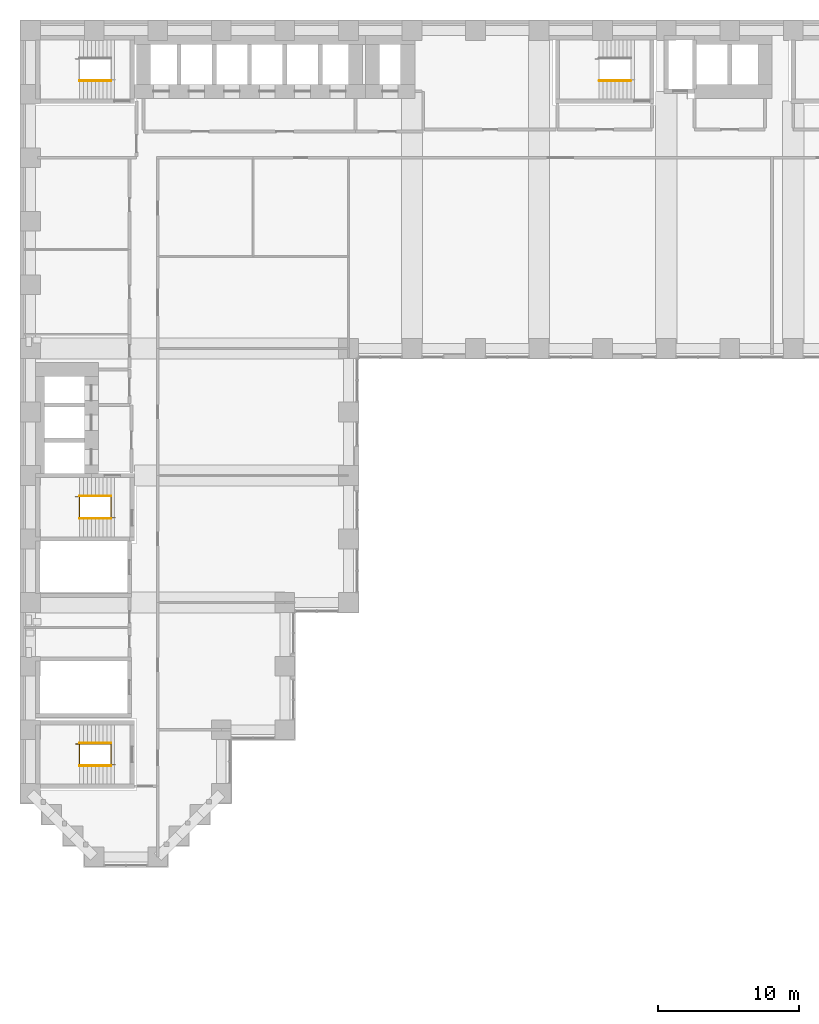
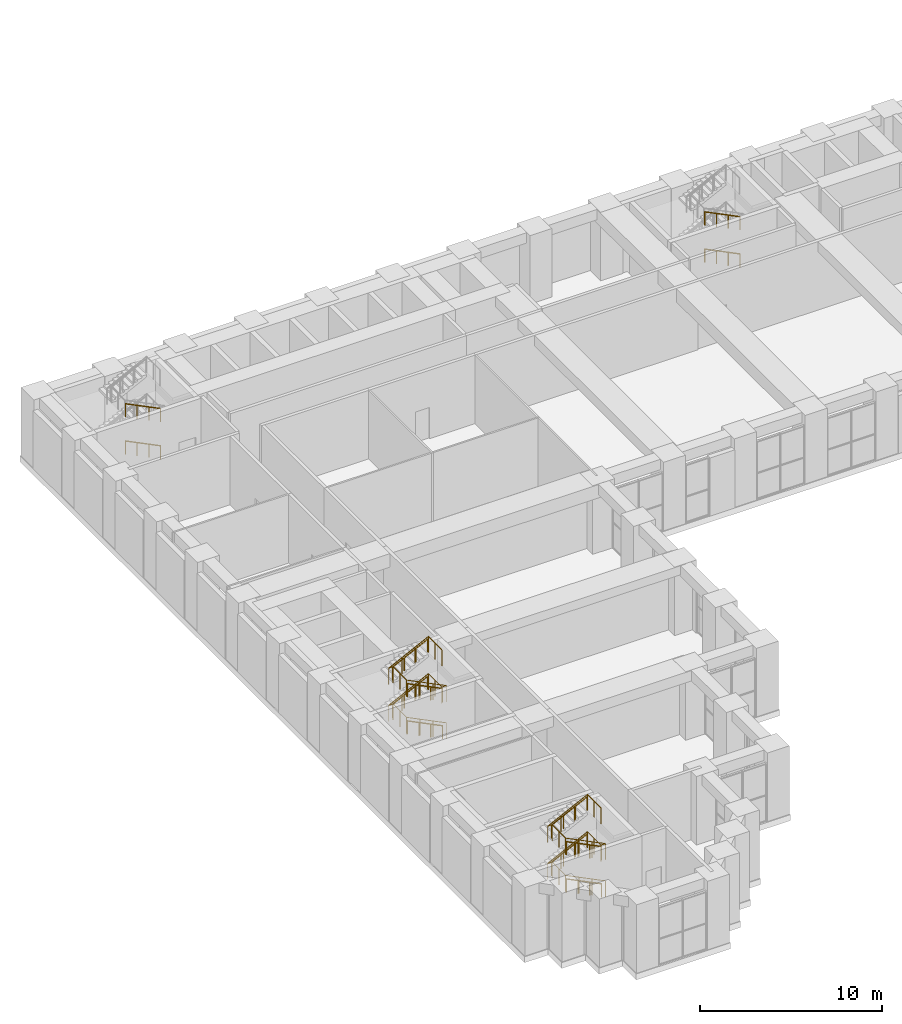
# One storey, part 29 of 34: 14 railings.
"""IFC4 building model written with IfcOpenShell, lengths in metres."""

from ifc_helpers import new_model, si_unit, direction, frame, origin, origin_2d, place, context, subcontext, project, spatial, circle, extrude, material, type_object, element, save


model = new_model("IFC4")

# Units and contexts
model_context = context("Model", 3, precision=1e-05, world=origin(), true_north=direction((0.0, 1.0)))
body_context = subcontext(model_context, "Body", "Model", "MODEL_VIEW")
ifc_project = project(units=[si_unit("LENGTHUNIT", "METRE"), si_unit("AREAUNIT", "SQUARE_METRE"), si_unit("VOLUMEUNIT", "CUBIC_METRE"), si_unit("PLANEANGLEUNIT", "RADIAN"), si_unit("MASSUNIT", "GRAM", prefix="KILO")], contexts=[model_context])

# Site, building, storey
site_placement = place(None, origin())
site = spatial("IfcSite", under=ifc_project, at=site_placement, CompositionType="ELEMENT")
building_placement = place(site_placement, origin())
building = spatial("IfcBuilding", under=site, at=building_placement, Name="Firuza Court", CompositionType="ELEMENT")
storey_placement = place(building_placement, frame((0.0, 0.0, 14.0)))
storey = spatial("IfcBuildingStorey", under=building, at=storey_placement, Name="L02", CompositionType="ELEMENT", Elevation=14.0)

# Railings
ifc_material_1 = material(Name="Steel S355", Category="steel")
railing_type_1 = type_object("IfcRailingType", Name="Handrail 900", PredefinedType="HANDRAIL", material=ifc_material_1)
for number, where, name in (
    (1, (42.5, 54.949951171875, 0.138916015625), "Handrail S1 flight 1"),
    (2, (42.5, 54.949951171875, 2.638916015625), "Handrail S1 flight 3"),
    (3, (5.699951171875, 23.949951171875, 0.138916015625), "Handrail S2 flight 1"),
):
    element("IfcRailing", number, at=place(storey_placement, frame(where)), inside=storey, type_object=railing_type_1, Name=name, PredefinedType="HANDRAIL", context=body_context, shape_type="SweptSolid", body=[
        extrude(circle(Radius=0.02490234375, at=origin_2d()), frame((0.0, 0.0, 0.875), z_axis=(-0.895848192791, 0.0, 0.444360231651), x_axis=(0.0, -1.0, 0.0)), (0.0, 0.0, 1.0), 2.50048828125),
        extrude(circle(Radius=0.02001953125, at=origin_2d()), origin(), (0.0, 0.0, 1.0), 0.849853515625),
        extrude(circle(Radius=0.02001953125, at=origin_2d()), frame((-0.74658203125, 0.0, 0.370361328125)), (0.0, 0.0, 1.0), 0.849853515625),
        extrude(circle(Radius=0.02001953125, at=origin_2d()), frame((-1.493408203125, 0.0, 0.74072265625)), (0.0, 0.0, 1.0), 0.849853515625),
        extrude(circle(Radius=0.02001953125, at=origin_2d()), frame((-2.239990234375, 0.0, 1.111083984375)), (0.0, 0.0, 1.0), 0.849853515625),
    ])
railing_1_placement = place(storey_placement, frame((3.4599609375, 25.550048828125, 1.388916015625)))
element("IfcRailing", 4, at=railing_1_placement, inside=storey, type_object=railing_type_1, Name="Handrail S2 flight 2", PredefinedType="HANDRAIL", context=body_context, shape_type="SweptSolid", body=[
    extrude(circle(Radius=0.02490234375, at=origin_2d()), frame((0.0, 0.0, 0.875), z_axis=(0.895848192791, 0.0, 0.444360231651), x_axis=(0.0, 1.0, 0.0)), (0.0, 0.0, 1.0), 2.50048828125),
    extrude(circle(Radius=0.02001953125, at=origin_2d()), origin(), (0.0, 0.0, 1.0), 0.849853515625),
    extrude(circle(Radius=0.02001953125, at=origin_2d()), frame((0.74658203125, 0.0, 0.370361328125)), (0.0, 0.0, 1.0), 0.849853515625),
    extrude(circle(Radius=0.02001953125, at=origin_2d()), frame((1.493408203125, 0.0, 0.74072265625)), (0.0, 0.0, 1.0), 0.849853515625),
    extrude(circle(Radius=0.02001953125, at=origin_2d()), frame((2.239990234375, 0.0, 1.111083984375)), (0.0, 0.0, 1.0), 0.849853515625),
])
railing_2_placement = place(storey_placement, frame((5.699951171875, 23.949951171875, 2.638916015625)))
element("IfcRailing", 5, at=railing_2_placement, inside=storey, type_object=railing_type_1, Name="Handrail S2 flight 3", PredefinedType="HANDRAIL", context=body_context, shape_type="SweptSolid", body=[
    extrude(circle(Radius=0.02490234375, at=origin_2d()), frame((0.0, 0.0, 0.875), z_axis=(-0.895848192791, 0.0, 0.444360231651), x_axis=(0.0, -1.0, 0.0)), (0.0, 0.0, 1.0), 2.50048828125),
    extrude(circle(Radius=0.02001953125, at=origin_2d()), origin(), (0.0, 0.0, 1.0), 0.849853515625),
    extrude(circle(Radius=0.02001953125, at=origin_2d()), frame((-0.74658203125, 0.0, 0.370361328125)), (0.0, 0.0, 1.0), 0.849853515625),
    extrude(circle(Radius=0.02001953125, at=origin_2d()), frame((-1.493408203125, 0.0, 0.74072265625)), (0.0, 0.0, 1.0), 0.849853515625),
    extrude(circle(Radius=0.02001953125, at=origin_2d()), frame((-2.239990234375, 0.0, 1.111083984375)), (0.0, 0.0, 1.0), 0.849853515625),
])
railing_3_placement = place(storey_placement, frame((3.4599609375, 25.550048828125, 3.888916015625)))
element("IfcRailing", 6, at=railing_3_placement, inside=storey, type_object=railing_type_1, Name="Handrail S2 flight 4", PredefinedType="HANDRAIL", context=body_context, shape_type="SweptSolid", body=[
    extrude(circle(Radius=0.02490234375, at=origin_2d()), frame((0.0, 0.0, 0.875), z_axis=(0.895848192791, 0.0, 0.444360231651), x_axis=(0.0, 1.0, 0.0)), (0.0, 0.0, 1.0), 2.50048828125),
    extrude(circle(Radius=0.02001953125, at=origin_2d()), origin(), (0.0, 0.0, 1.0), 0.849853515625),
    extrude(circle(Radius=0.02001953125, at=origin_2d()), frame((0.74658203125, 0.0, 0.370361328125)), (0.0, 0.0, 1.0), 0.849853515625),
    extrude(circle(Radius=0.02001953125, at=origin_2d()), frame((1.493408203125, 0.0, 0.74072265625)), (0.0, 0.0, 1.0), 0.849853515625),
    extrude(circle(Radius=0.02001953125, at=origin_2d()), frame((2.239990234375, 0.0, 1.111083984375)), (0.0, 0.0, 1.0), 0.849853515625),
])
for number, where, name in (
    (7, (5.699951171875, 54.949951171875, 0.138916015625), "Handrail S3 flight 1"),
    (8, (5.699951171875, 54.949951171875, 2.638916015625), "Handrail S3 flight 3"),
    (9, (5.699951171875, 6.449951171875, 0.138916015625), "Handrail S5 flight 1"),
):
    element("IfcRailing", number, at=place(storey_placement, frame(where)), inside=storey, type_object=railing_type_1, Name=name, PredefinedType="HANDRAIL", context=body_context, shape_type="SweptSolid", body=[
        extrude(circle(Radius=0.02490234375, at=origin_2d()), frame((0.0, 0.0, 0.875), z_axis=(-0.895848192791, 0.0, 0.444360231651), x_axis=(0.0, -1.0, 0.0)), (0.0, 0.0, 1.0), 2.50048828125),
        extrude(circle(Radius=0.02001953125, at=origin_2d()), origin(), (0.0, 0.0, 1.0), 0.849853515625),
        extrude(circle(Radius=0.02001953125, at=origin_2d()), frame((-0.74658203125, 0.0, 0.370361328125)), (0.0, 0.0, 1.0), 0.849853515625),
        extrude(circle(Radius=0.02001953125, at=origin_2d()), frame((-1.493408203125, 0.0, 0.74072265625)), (0.0, 0.0, 1.0), 0.849853515625),
        extrude(circle(Radius=0.02001953125, at=origin_2d()), frame((-2.239990234375, 0.0, 1.111083984375)), (0.0, 0.0, 1.0), 0.849853515625),
    ])
railing_4_placement = place(storey_placement, frame((3.4599609375, 8.050048828125, 1.388916015625)))
element("IfcRailing", 10, at=railing_4_placement, inside=storey, type_object=railing_type_1, Name="Handrail S5 flight 2", PredefinedType="HANDRAIL", context=body_context, shape_type="SweptSolid", body=[
    extrude(circle(Radius=0.02490234375, at=origin_2d()), frame((0.0, 0.0, 0.875), z_axis=(0.895848192791, 0.0, 0.444360231651), x_axis=(0.0, 1.0, 0.0)), (0.0, 0.0, 1.0), 2.50048828125),
    extrude(circle(Radius=0.02001953125, at=origin_2d()), origin(), (0.0, 0.0, 1.0), 0.849853515625),
    extrude(circle(Radius=0.02001953125, at=origin_2d()), frame((0.74658203125, 0.0, 0.370361328125)), (0.0, 0.0, 1.0), 0.849853515625),
    extrude(circle(Radius=0.02001953125, at=origin_2d()), frame((1.493408203125, 0.0, 0.74072265625)), (0.0, 0.0, 1.0), 0.849853515625),
    extrude(circle(Radius=0.02001953125, at=origin_2d()), frame((2.239990234375, 0.0, 1.111083984375)), (0.0, 0.0, 1.0), 0.849853515625),
])
railing_5_placement = place(storey_placement, frame((5.699951171875, 6.449951171875, 2.638916015625)))
element("IfcRailing", 11, at=railing_5_placement, inside=storey, type_object=railing_type_1, Name="Handrail S5 flight 3", PredefinedType="HANDRAIL", context=body_context, shape_type="SweptSolid", body=[
    extrude(circle(Radius=0.02490234375, at=origin_2d()), frame((0.0, 0.0, 0.875), z_axis=(-0.895848192791, 0.0, 0.444360231651), x_axis=(0.0, -1.0, 0.0)), (0.0, 0.0, 1.0), 2.50048828125),
    extrude(circle(Radius=0.02001953125, at=origin_2d()), origin(), (0.0, 0.0, 1.0), 0.849853515625),
    extrude(circle(Radius=0.02001953125, at=origin_2d()), frame((-0.74658203125, 0.0, 0.370361328125)), (0.0, 0.0, 1.0), 0.849853515625),
    extrude(circle(Radius=0.02001953125, at=origin_2d()), frame((-1.493408203125, 0.0, 0.74072265625)), (0.0, 0.0, 1.0), 0.849853515625),
    extrude(circle(Radius=0.02001953125, at=origin_2d()), frame((-2.239990234375, 0.0, 1.111083984375)), (0.0, 0.0, 1.0), 0.849853515625),
])
railing_6_placement = place(storey_placement, frame((3.4599609375, 8.050048828125, 3.888916015625)))
element("IfcRailing", 12, at=railing_6_placement, inside=storey, type_object=railing_type_1, Name="Handrail S5 flight 4", PredefinedType="HANDRAIL", context=body_context, shape_type="SweptSolid", body=[
    extrude(circle(Radius=0.02490234375, at=origin_2d()), frame((0.0, 0.0, 0.875), z_axis=(0.895848192791, 0.0, 0.444360231651), x_axis=(0.0, 1.0, 0.0)), (0.0, 0.0, 1.0), 2.50048828125),
    extrude(circle(Radius=0.02001953125, at=origin_2d()), origin(), (0.0, 0.0, 1.0), 0.849853515625),
    extrude(circle(Radius=0.02001953125, at=origin_2d()), frame((0.74658203125, 0.0, 0.370361328125)), (0.0, 0.0, 1.0), 0.849853515625),
    extrude(circle(Radius=0.02001953125, at=origin_2d()), frame((1.493408203125, 0.0, 0.74072265625)), (0.0, 0.0, 1.0), 0.849853515625),
    extrude(circle(Radius=0.02001953125, at=origin_2d()), frame((2.239990234375, 0.0, 1.111083984375)), (0.0, 0.0, 1.0), 0.849853515625),
])
ifc_material_2 = material(Name="Steel S355", Category="steel")
railing_type_2 = type_object("IfcRailingType", Name="Stair guard 1100", PredefinedType="GUARDRAIL", material=ifc_material_2)
railing_7_placement = place(storey_placement, frame((5.97998046875, 24.010009765625, 0.0)))
element("IfcRailing", 13, at=railing_7_placement, inside=storey, type_object=railing_type_2, Name="Stair well guard S2", PredefinedType="GUARDRAIL", context=body_context, shape_type="SweptSolid", body=[
    extrude(circle(Radius=0.02490234375, at=origin_2d()), frame((0.0, 0.0, 1.0751953125), z_axis=(-0.89584601627, 0.0, 0.44436461958), x_axis=(0.0, -1.0, 0.0)), (0.0, 0.0, 1.0), 2.81298828125),
    extrude(circle(Radius=0.02490234375, at=origin_2d()), frame((-2.52001953125, 0.0, 2.3251953125), z_axis=(0.0, 1.0, 0.0), x_axis=(-1.0, 0.0, 0.0)), (0.0, 0.0, 1.0), 1.47998046875),
    extrude(circle(Radius=0.02490234375, at=origin_2d()), frame((-2.52001953125, 1.47998046875, 2.3251953125), z_axis=(-1.0, 0.0, 0.0), x_axis=(0.0, -1.0, 0.0)), (0.0, 0.0, 1.0), 0.280029296875),
    extrude(circle(Radius=0.02490234375, at=origin_2d()), frame((-2.800048828125, 1.47998046875, 2.3251953125), z_axis=(0.89584601627, 0.0, 0.44436461958), x_axis=(0.0, 1.0, 0.0)), (0.0, 0.0, 1.0), 2.81298828125),
    extrude(circle(Radius=0.02490234375, at=origin_2d()), frame((-0.280029296875, 1.47998046875, 3.5751953125), z_axis=(0.0, -1.0, 0.0), x_axis=(1.0, 0.0, 0.0)), (0.0, 0.0, 1.0), 1.47998046875),
    extrude(circle(Radius=0.02490234375, at=origin_2d()), frame((-0.280029296875, 0.0, 3.5751953125), z_axis=(1.0, 0.0, 0.0), x_axis=(0.0, 1.0, 0.0)), (0.0, 0.0, 1.0), 0.280029296875),
    extrude(circle(Radius=0.02490234375, at=origin_2d()), frame((0.0, 0.0, 3.5751953125), z_axis=(-0.89584601627, 0.0, 0.44436461958), x_axis=(0.0, -1.0, 0.0)), (0.0, 0.0, 1.0), 2.81298828125),
    extrude(circle(Radius=0.02490234375, at=origin_2d()), frame((-2.52001953125, 0.0, 4.8251953125), z_axis=(0.0, 1.0, 0.0), x_axis=(-1.0, 0.0, 0.0)), (0.0, 0.0, 1.0), 1.47998046875),
    extrude(circle(Radius=0.02490234375, at=origin_2d()), frame((-2.52001953125, 1.47998046875, 4.8251953125), z_axis=(-1.0, 0.0, 0.0), x_axis=(0.0, -1.0, 0.0)), (0.0, 0.0, 1.0), 0.280029296875),
    extrude(circle(Radius=0.02490234375, at=origin_2d()), frame((-2.800048828125, 1.47998046875, 4.8251953125), z_axis=(0.89584601627, 0.0, 0.44436461958), x_axis=(0.0, 1.0, 0.0)), (0.0, 0.0, 1.0), 2.81298828125),
    extrude(circle(Radius=0.02490234375, at=origin_2d()), frame((-0.280029296875, 1.47998046875, 6.0751953125), z_axis=(0.0, -1.0, 0.0), x_axis=(1.0, 0.0, 0.0)), (0.0, 0.0, 1.0), 1.47998046875),
    extrude(circle(Radius=0.02490234375, at=origin_2d()), origin(), (0.0, 0.0, 1.0), 1.050048828125),
    extrude(circle(Radius=0.02490234375, at=origin_2d()), frame((-0.840087890625, 0.0, 0.416748046875)), (0.0, 0.0, 1.0), 1.050048828125),
    extrude(circle(Radius=0.02490234375, at=origin_2d()), frame((-1.679931640625, 0.0, 0.833251953125)), (0.0, 0.0, 1.0), 1.050048828125),
    extrude(circle(Radius=0.02490234375, at=origin_2d()), frame((-2.52001953125, 0.0, 1.25)), (0.0, 0.0, 1.0), 1.050048828125),
    extrude(circle(Radius=0.02490234375, at=origin_2d()), frame((-2.52001953125, 0.739990234375, 1.25)), (0.0, 0.0, 1.0), 1.050048828125),
    extrude(circle(Radius=0.02490234375, at=origin_2d()), frame((-2.52001953125, 1.47998046875, 1.25)), (0.0, 0.0, 1.0), 1.050048828125),
    extrude(circle(Radius=0.02490234375, at=origin_2d()), frame((-2.800048828125, 1.47998046875, 1.25)), (0.0, 0.0, 1.0), 1.050048828125),
    extrude(circle(Radius=0.02490234375, at=origin_2d()), frame((-1.9599609375, 1.47998046875, 1.666748046875)), (0.0, 0.0, 1.0), 1.050048828125),
    extrude(circle(Radius=0.02490234375, at=origin_2d()), frame((-1.1201171875, 1.47998046875, 2.083251953125)), (0.0, 0.0, 1.0), 1.050048828125),
    extrude(circle(Radius=0.02490234375, at=origin_2d()), frame((-0.280029296875, 1.47998046875, 2.5)), (0.0, 0.0, 1.0), 1.050048828125),
    extrude(circle(Radius=0.02490234375, at=origin_2d()), frame((-0.280029296875, 0.739990234375, 2.5)), (0.0, 0.0, 1.0), 1.050048828125),
    extrude(circle(Radius=0.02490234375, at=origin_2d()), frame((-0.280029296875, 0.0, 2.5)), (0.0, 0.0, 1.0), 1.050048828125),
    extrude(circle(Radius=0.02490234375, at=origin_2d()), frame((0.0, 0.0, 2.5)), (0.0, 0.0, 1.0), 1.050048828125),
    extrude(circle(Radius=0.02490234375, at=origin_2d()), frame((-0.840087890625, 0.0, 2.916748046875)), (0.0, 0.0, 1.0), 1.050048828125),
    extrude(circle(Radius=0.02490234375, at=origin_2d()), frame((-1.679931640625, 0.0, 3.333251953125)), (0.0, 0.0, 1.0), 1.050048828125),
    extrude(circle(Radius=0.02490234375, at=origin_2d()), frame((-2.52001953125, 0.0, 3.75)), (0.0, 0.0, 1.0), 1.050048828125),
    extrude(circle(Radius=0.02490234375, at=origin_2d()), frame((-2.52001953125, 0.739990234375, 3.75)), (0.0, 0.0, 1.0), 1.050048828125),
    extrude(circle(Radius=0.02490234375, at=origin_2d()), frame((-2.52001953125, 1.47998046875, 3.75)), (0.0, 0.0, 1.0), 1.050048828125),
    extrude(circle(Radius=0.02490234375, at=origin_2d()), frame((-2.800048828125, 1.47998046875, 3.75)), (0.0, 0.0, 1.0), 1.050048828125),
    extrude(circle(Radius=0.02490234375, at=origin_2d()), frame((-1.9599609375, 1.47998046875, 4.166748046875)), (0.0, 0.0, 1.0), 1.050048828125),
    extrude(circle(Radius=0.02490234375, at=origin_2d()), frame((-1.1201171875, 1.47998046875, 4.583251953125)), (0.0, 0.0, 1.0), 1.050048828125),
    extrude(circle(Radius=0.02490234375, at=origin_2d()), frame((-0.280029296875, 1.47998046875, 5.0)), (0.0, 0.0, 1.0), 1.050048828125),
    extrude(circle(Radius=0.02490234375, at=origin_2d()), frame((-0.280029296875, 0.739990234375, 5.0)), (0.0, 0.0, 1.0), 1.050048828125),
    extrude(circle(Radius=0.02490234375, at=origin_2d()), frame((-0.280029296875, 0.0, 5.0)), (0.0, 0.0, 1.0), 1.050048828125),
])
railing_8_placement = place(storey_placement, frame((5.97998046875, 6.510009765625, 0.0)))
element("IfcRailing", 14, at=railing_8_placement, inside=storey, type_object=railing_type_2, Name="Stair well guard S5", PredefinedType="GUARDRAIL", context=body_context, shape_type="SweptSolid", body=[
    extrude(circle(Radius=0.02490234375, at=origin_2d()), frame((0.0, 0.0, 1.0751953125), z_axis=(-0.89584601627, 0.0, 0.44436461958), x_axis=(0.0, -1.0, 0.0)), (0.0, 0.0, 1.0), 2.81298828125),
    extrude(circle(Radius=0.02490234375, at=origin_2d()), frame((-2.52001953125, 0.0, 2.3251953125), z_axis=(0.0, 1.0, 0.0), x_axis=(-1.0, 0.0, 0.0)), (0.0, 0.0, 1.0), 1.47998046875),
    extrude(circle(Radius=0.02490234375, at=origin_2d()), frame((-2.52001953125, 1.47998046875, 2.3251953125), z_axis=(-1.0, 0.0, 0.0), x_axis=(0.0, -1.0, 0.0)), (0.0, 0.0, 1.0), 0.280029296875),
    extrude(circle(Radius=0.02490234375, at=origin_2d()), frame((-2.800048828125, 1.47998046875, 2.3251953125), z_axis=(0.89584601627, 0.0, 0.44436461958), x_axis=(0.0, 1.0, 0.0)), (0.0, 0.0, 1.0), 2.81298828125),
    extrude(circle(Radius=0.02490234375, at=origin_2d()), frame((-0.280029296875, 1.47998046875, 3.5751953125), z_axis=(0.0, -1.0, 0.0), x_axis=(1.0, 0.0, 0.0)), (0.0, 0.0, 1.0), 1.47998046875),
    extrude(circle(Radius=0.02490234375, at=origin_2d()), frame((-0.280029296875, 0.0, 3.5751953125), z_axis=(1.0, 0.0, 0.0), x_axis=(0.0, 1.0, 0.0)), (0.0, 0.0, 1.0), 0.280029296875),
    extrude(circle(Radius=0.02490234375, at=origin_2d()), frame((0.0, 0.0, 3.5751953125), z_axis=(-0.89584601627, 0.0, 0.44436461958), x_axis=(0.0, -1.0, 0.0)), (0.0, 0.0, 1.0), 2.81298828125),
    extrude(circle(Radius=0.02490234375, at=origin_2d()), frame((-2.52001953125, 0.0, 4.8251953125), z_axis=(0.0, 1.0, 0.0), x_axis=(-1.0, 0.0, 0.0)), (0.0, 0.0, 1.0), 1.47998046875),
    extrude(circle(Radius=0.02490234375, at=origin_2d()), frame((-2.52001953125, 1.47998046875, 4.8251953125), z_axis=(-1.0, 0.0, 0.0), x_axis=(0.0, -1.0, 0.0)), (0.0, 0.0, 1.0), 0.280029296875),
    extrude(circle(Radius=0.02490234375, at=origin_2d()), frame((-2.800048828125, 1.47998046875, 4.8251953125), z_axis=(0.89584601627, 0.0, 0.44436461958), x_axis=(0.0, 1.0, 0.0)), (0.0, 0.0, 1.0), 2.81298828125),
    extrude(circle(Radius=0.02490234375, at=origin_2d()), frame((-0.280029296875, 1.47998046875, 6.0751953125), z_axis=(0.0, -1.0, 0.0), x_axis=(1.0, 0.0, 0.0)), (0.0, 0.0, 1.0), 1.47998046875),
    extrude(circle(Radius=0.02490234375, at=origin_2d()), origin(), (0.0, 0.0, 1.0), 1.050048828125),
    extrude(circle(Radius=0.02490234375, at=origin_2d()), frame((-0.840087890625, 0.0, 0.416748046875)), (0.0, 0.0, 1.0), 1.050048828125),
    extrude(circle(Radius=0.02490234375, at=origin_2d()), frame((-1.679931640625, 0.0, 0.833251953125)), (0.0, 0.0, 1.0), 1.050048828125),
    extrude(circle(Radius=0.02490234375, at=origin_2d()), frame((-2.52001953125, 0.0, 1.25)), (0.0, 0.0, 1.0), 1.050048828125),
    extrude(circle(Radius=0.02490234375, at=origin_2d()), frame((-2.52001953125, 0.739990234375, 1.25)), (0.0, 0.0, 1.0), 1.050048828125),
    extrude(circle(Radius=0.02490234375, at=origin_2d()), frame((-2.52001953125, 1.47998046875, 1.25)), (0.0, 0.0, 1.0), 1.050048828125),
    extrude(circle(Radius=0.02490234375, at=origin_2d()), frame((-2.800048828125, 1.47998046875, 1.25)), (0.0, 0.0, 1.0), 1.050048828125),
    extrude(circle(Radius=0.02490234375, at=origin_2d()), frame((-1.9599609375, 1.47998046875, 1.666748046875)), (0.0, 0.0, 1.0), 1.050048828125),
    extrude(circle(Radius=0.02490234375, at=origin_2d()), frame((-1.1201171875, 1.47998046875, 2.083251953125)), (0.0, 0.0, 1.0), 1.050048828125),
    extrude(circle(Radius=0.02490234375, at=origin_2d()), frame((-0.280029296875, 1.47998046875, 2.5)), (0.0, 0.0, 1.0), 1.050048828125),
    extrude(circle(Radius=0.02490234375, at=origin_2d()), frame((-0.280029296875, 0.739990234375, 2.5)), (0.0, 0.0, 1.0), 1.050048828125),
    extrude(circle(Radius=0.02490234375, at=origin_2d()), frame((-0.280029296875, 0.0, 2.5)), (0.0, 0.0, 1.0), 1.050048828125),
    extrude(circle(Radius=0.02490234375, at=origin_2d()), frame((0.0, 0.0, 2.5)), (0.0, 0.0, 1.0), 1.050048828125),
    extrude(circle(Radius=0.02490234375, at=origin_2d()), frame((-0.840087890625, 0.0, 2.916748046875)), (0.0, 0.0, 1.0), 1.050048828125),
    extrude(circle(Radius=0.02490234375, at=origin_2d()), frame((-1.679931640625, 0.0, 3.333251953125)), (0.0, 0.0, 1.0), 1.050048828125),
    extrude(circle(Radius=0.02490234375, at=origin_2d()), frame((-2.52001953125, 0.0, 3.75)), (0.0, 0.0, 1.0), 1.050048828125),
    extrude(circle(Radius=0.02490234375, at=origin_2d()), frame((-2.52001953125, 0.739990234375, 3.75)), (0.0, 0.0, 1.0), 1.050048828125),
    extrude(circle(Radius=0.02490234375, at=origin_2d()), frame((-2.52001953125, 1.47998046875, 3.75)), (0.0, 0.0, 1.0), 1.050048828125),
    extrude(circle(Radius=0.02490234375, at=origin_2d()), frame((-2.800048828125, 1.47998046875, 3.75)), (0.0, 0.0, 1.0), 1.050048828125),
    extrude(circle(Radius=0.02490234375, at=origin_2d()), frame((-1.9599609375, 1.47998046875, 4.166748046875)), (0.0, 0.0, 1.0), 1.050048828125),
    extrude(circle(Radius=0.02490234375, at=origin_2d()), frame((-1.1201171875, 1.47998046875, 4.583251953125)), (0.0, 0.0, 1.0), 1.050048828125),
    extrude(circle(Radius=0.02490234375, at=origin_2d()), frame((-0.280029296875, 1.47998046875, 5.0)), (0.0, 0.0, 1.0), 1.050048828125),
    extrude(circle(Radius=0.02490234375, at=origin_2d()), frame((-0.280029296875, 0.739990234375, 5.0)), (0.0, 0.0, 1.0), 1.050048828125),
    extrude(circle(Radius=0.02490234375, at=origin_2d()), frame((-0.280029296875, 0.0, 5.0)), (0.0, 0.0, 1.0), 1.050048828125),
])

save(model, "model.ifc")
